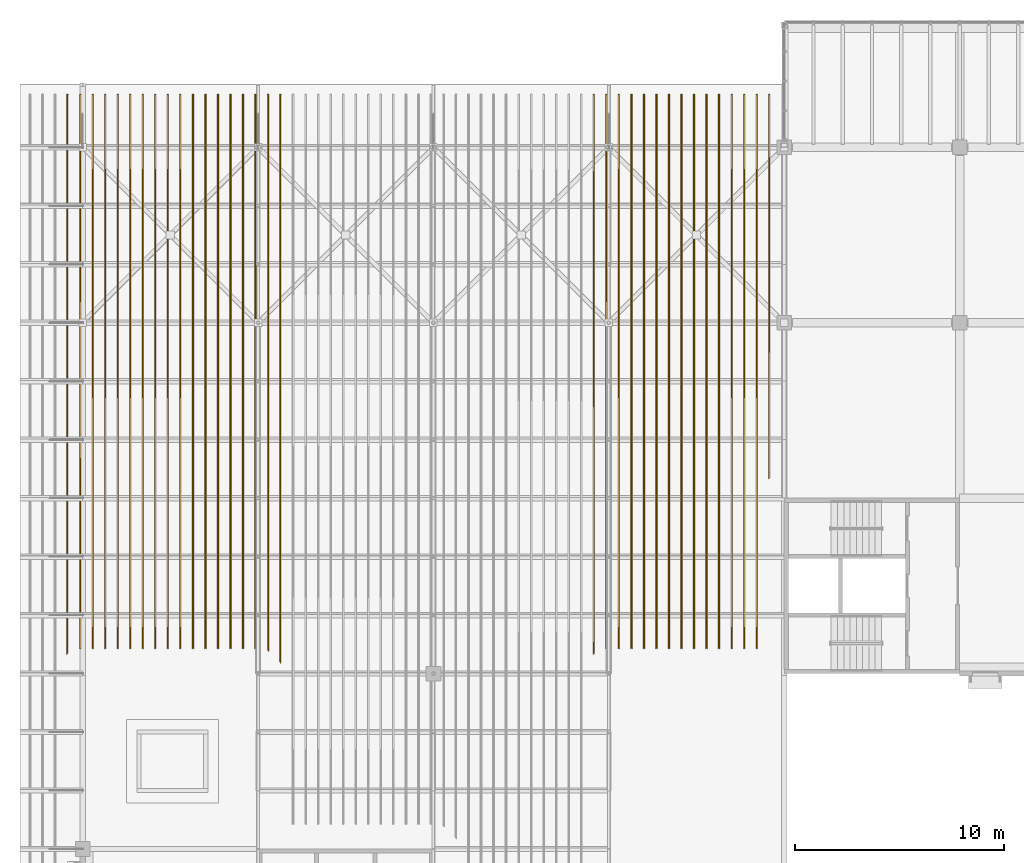
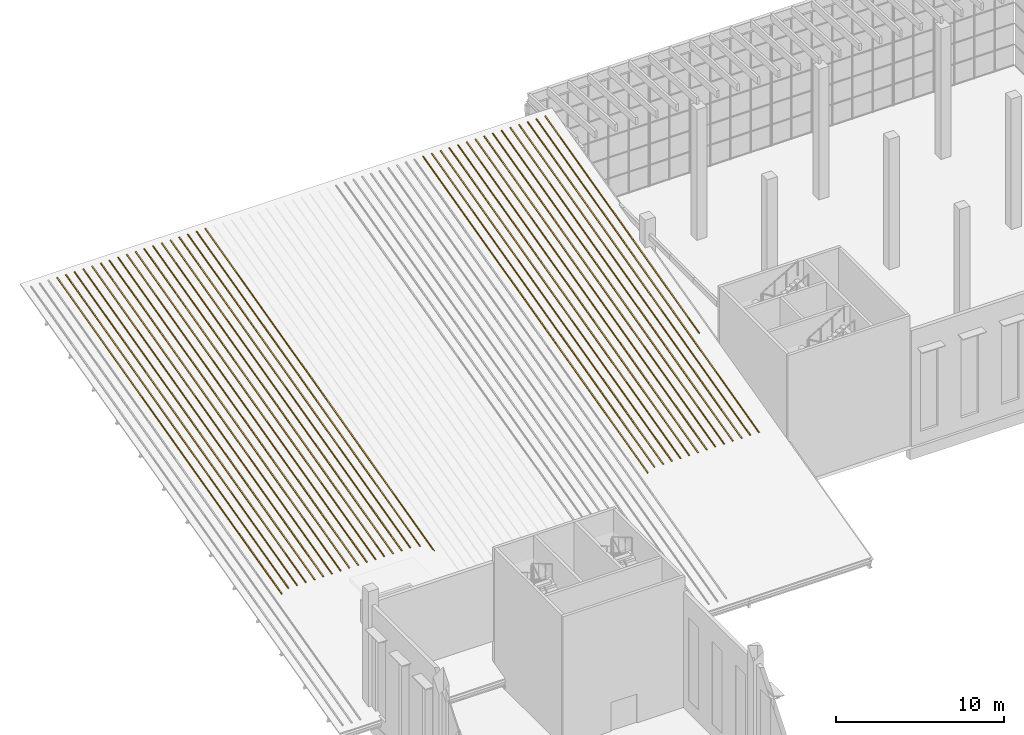
# One storey, part 98 of 114: 33 coverings.
"""IFC4 building model written with IfcOpenShell, lengths in metres."""

from ifc_helpers import new_model, si_unit, direction, frame, origin, place, context, subcontext, project, spatial, polyline, outline, extrude, material, layer, layer_set, type_object, element, save


model = new_model("IFC4")

# Units and contexts
model_context = context("Model", 3, precision=1e-05, world=origin(), true_north=direction((0.0, 1.0)))
body_context = subcontext(model_context, "Body", "Model", "MODEL_VIEW")
ifc_project = project(units=[si_unit("LENGTHUNIT", "METRE"), si_unit("AREAUNIT", "SQUARE_METRE"), si_unit("VOLUMEUNIT", "CUBIC_METRE"), si_unit("PLANEANGLEUNIT", "RADIAN"), si_unit("MASSUNIT", "GRAM", prefix="KILO")], contexts=[model_context])

# Site, building, storey
site_placement = place(None, origin())
site = spatial("IfcSite", under=ifc_project, at=site_placement, CompositionType="ELEMENT")
building_placement = place(site_placement, origin())
building = spatial("IfcBuilding", under=site, at=building_placement, Name="Almond Square Museum", CompositionType="ELEMENT")
storey_placement = place(building_placement, frame((0.0, 0.0, 10.5)))
storey = spatial("IfcBuildingStorey", under=building, at=storey_placement, Name="L02", CompositionType="ELEMENT", Elevation=10.5)

# Coverings
ifc_material = material(Name="Zinc standing seam")
ifc_layer = layer(ifc_material, 0.0400390625)
ifc_layer_set = layer_set([ifc_layer], Name="Zinc standing seam")
covering_type = type_object("IfcCoveringType", Name="Roof standing seam rib 60 x 40", PredefinedType="CLADDING", material=ifc_layer_set)
covering_1_placement = place(storey_placement, frame((5.31005859375, 111.75, 10.34521484375), z_axis=(8.421238e-05, -0.245255609951, 0.96945844609), x_axis=(-0.999999996454, -2.0653559e-05, 8.1640403e-05)))
element("IfcCovering", 1, at=covering_1_placement, inside=storey, type_object=covering_type, Name="Roof standing seam rib", PredefinedType="CLADDING", context=body_context, shape_type="SweptSolid", body=[
    extrude(outline(polyline([(0.0, 0.0), (0.06005859353704049, 0.0), (0.06005859396295951, 27.658703285717333), (-4.259190265016796e-10, 27.612872427340424), (0.0, 0.0)])), origin(), (0.0, 0.0, 1.0), 0.0400390625),
])
covering_2_placement = place(storey_placement, frame((5.909912109375, 85.195556640625, 3.62744140625), z_axis=(0.000642001912, -0.245253351518, 0.969458808513), x_axis=(-9e-10, 0.969459008302, 0.245253402061)))
element("IfcCovering", 2, at=covering_2_placement, inside=storey, type_object=covering_type, Name="Roof standing seam rib", PredefinedType="CLADDING", context=body_context, shape_type="SweptSolid", body=[
    extrude(outline(polyline([(0.0, 0.0), (27.391001115007843, -8.673617379884035e-19), (27.39100111506168, 0.05981444079824318), (-0.00627636606430578, 0.05981449011092465), (0.0, 0.0)])), origin(), (0.0, 0.0, 1.0), 0.0400390625),
])
for number, where, z_axis, x_axis, name in (
    (3, (6.510009765625, 111.75, 10.34521484375), (0.0, -0.245251021571, 0.969459610514), (-1.0, 0.0, 0.0), "Roof standing seam rib"),
    (4, (7.110107421875, 111.75, 10.34521484375), (0.0, -0.245251021571, 0.969459610514), (-1.0, 0.0, 0.0), "Roof standing seam rib"),
    (5, (7.7099609375, 111.75, 10.34521484375), (0.0, -0.245251021571, 0.969459610514), (-1.0, 0.0, 0.0), "Roof standing seam rib"),
    (6, (8.31005859375, 111.75, 10.34521484375), (0.0, -0.245251021571, 0.969459610514), (-1.0, 0.0, 0.0), "Roof standing seam rib"),
):
    element("IfcCovering", number, at=place(storey_placement, frame(where, z_axis=z_axis, x_axis=x_axis)), inside=storey, type_object=covering_type, Name=name, PredefinedType="CLADDING", context=body_context, shape_type="SweptSolid", body=[
        extrude(outline(polyline([(0.0, 0.0), (0.06005859375, 0.0), (0.06005859375, 27.386441415588518), (0.0, 27.386441415588518), (0.0, 0.0)])), origin(), (0.0, 0.0, 1.0), 0.0400390625),
    ])
covering_3_placement = place(storey_placement, frame((8.909912109375, 111.75, 10.34521484375), z_axis=(0.0, -0.245251021571, 0.969459610514), x_axis=(-1.0, 0.0, 0.0)))
element("IfcCovering", 7, at=covering_3_placement, inside=storey, type_object=covering_type, Name="Roof standing seam rib", PredefinedType="CLADDING", context=body_context, shape_type="SweptSolid", body=[
    extrude(outline(polyline([(0.0, 0.0), (0.059814453125, 0.0), (0.059814453125, 27.386441415588518), (0.0, 27.386441415588518), (0.0, 0.0)])), origin(), (0.0, 0.0, 1.0), 0.0400390625),
])
for number, where, z_axis, x_axis, name in (
    (8, (9.510009765625, 111.75, 10.34521484375), (0.0, -0.245251021571, 0.969459610514), (-1.0, 0.0, 0.0), "Roof standing seam rib"),
    (9, (10.110107421875, 111.75, 10.34521484375), (0.0, -0.245251021571, 0.969459610514), (-1.0, 0.0, 0.0), "Roof standing seam rib"),
    (10, (10.7099609375, 111.75, 10.34521484375), (0.0, -0.245251021571, 0.969459610514), (-1.0, 0.0, 0.0), "Roof standing seam rib"),
    (11, (11.31005859375, 111.75, 10.34521484375), (0.0, -0.245251021571, 0.969459610514), (-1.0, 0.0, 0.0), "Roof standing seam rib"),
):
    element("IfcCovering", number, at=place(storey_placement, frame(where, z_axis=z_axis, x_axis=x_axis)), inside=storey, type_object=covering_type, Name=name, PredefinedType="CLADDING", context=body_context, shape_type="SweptSolid", body=[
        extrude(outline(polyline([(0.0, 0.0), (0.06005859375, 0.0), (0.06005859375, 27.386441415588518), (0.0, 27.386441415588518), (0.0, 0.0)])), origin(), (0.0, 0.0, 1.0), 0.0400390625),
    ])
covering_4_placement = place(storey_placement, frame((11.909912109375, 111.75, 10.34521484375), z_axis=(0.0, -0.245251021571, 0.969459610514), x_axis=(-1.0, 0.0, 0.0)))
element("IfcCovering", 12, at=covering_4_placement, inside=storey, type_object=covering_type, Name="Roof standing seam rib", PredefinedType="CLADDING", context=body_context, shape_type="SweptSolid", body=[
    extrude(outline(polyline([(0.0, 0.0), (0.059814453125, 0.0), (0.059814453125, 27.386441415588518), (0.0, 27.386441415588518), (0.0, 0.0)])), origin(), (0.0, 0.0, 1.0), 0.0400390625),
])
for number, where, z_axis, x_axis, name in (
    (13, (12.510009765625, 111.75, 10.34521484375), (0.0, -0.245251021571, 0.969459610514), (-1.0, 0.0, 0.0), "Roof standing seam rib"),
    (14, (13.110107421875, 111.75, 10.34521484375), (0.0, -0.245251021571, 0.969459610514), (-1.0, 0.0, 0.0), "Roof standing seam rib"),
    (15, (13.7099609375, 111.75, 10.34521484375), (0.0, -0.245251021571, 0.969459610514), (-1.0, 0.0, 0.0), "Roof standing seam rib"),
    (16, (14.31005859375, 111.75, 10.34521484375), (0.0, -0.245251021571, 0.969459610514), (-1.0, 0.0, 0.0), "Roof standing seam rib"),
):
    element("IfcCovering", number, at=place(storey_placement, frame(where, z_axis=z_axis, x_axis=x_axis)), inside=storey, type_object=covering_type, Name=name, PredefinedType="CLADDING", context=body_context, shape_type="SweptSolid", body=[
        extrude(outline(polyline([(0.0, 0.0), (0.06005859375, 0.0), (0.06005859375, 27.386441415588518), (0.0, 27.386441415588518), (0.0, 0.0)])), origin(), (0.0, 0.0, 1.0), 0.0400390625),
    ])
covering_5_placement = place(storey_placement, frame((14.909912109375, 85.084716796875, 3.599365234375), z_axis=(-0.00066122894, -0.245257324251, 0.96945779056), x_axis=(-9.51e-10, 0.969458002495, 0.245257377867)))
element("IfcCovering", 17, at=covering_5_placement, inside=storey, type_object=covering_type, Name="Roof standing seam rib", PredefinedType="CLADDING", context=body_context, shape_type="SweptSolid", body=[
    extrude(outline(polyline([(0.0, 0.0), (27.50534157674834, -8.673617379884035e-19), (27.50534157680521, 0.05981444004885), (0.028185181419110354, 0.05981449232665704), (0.0, 0.0)])), origin(), (0.0, 0.0, 1.0), 0.0400390625),
])
covering_6_placement = place(storey_placement, frame((15.510009765625, 111.75, 10.34521484375), z_axis=(0.000957063549, -0.245254414976, 0.969458279641), x_axis=(-0.999999542015, -0.000234724168, 0.000927833607)))
element("IfcCovering", 18, at=covering_6_placement, inside=storey, type_object=covering_type, Name="Roof standing seam rib", PredefinedType="CLADDING", context=body_context, shape_type="SweptSolid", body=[
    extrude(outline(polyline([(0.0, 0.0), (0.060058566244039525, -1.6278914455043585e-21), (0.06005862125597307, 28.026356766439584), (-5.501193354063433e-08, 28.154316450431295), (0.0, 0.0)])), origin(), (0.0, 0.0, 1.0), 0.0400390625),
])
covering_7_placement = place(storey_placement, frame((30.510009765625, 111.75, 10.34521484375), z_axis=(8.421238e-05, -0.245255609951, 0.96945844609), x_axis=(-0.999999996454, -2.0653559e-05, 8.1640403e-05)))
element("IfcCovering", 19, at=covering_7_placement, inside=storey, type_object=covering_type, Name="Roof standing seam rib", PredefinedType="CLADDING", context=body_context, shape_type="SweptSolid", body=[
    extrude(outline(polyline([(0.0, 0.0), (0.06005859353704049, 0.0), (0.06005859396295951, 27.658703285717333), (-4.259190265016796e-10, 27.612872427340424), (0.0, 0.0)])), origin(), (0.0, 0.0, 1.0), 0.0400390625),
])
covering_8_placement = place(storey_placement, frame((31.110107421875, 85.195556640625, 3.62744140625), z_axis=(0.000639392149, -0.245253351928, 0.969458810134), x_axis=(-8.96e-10, 0.969459008302, 0.245253402061)))
element("IfcCovering", 20, at=covering_8_placement, inside=storey, type_object=covering_type, Name="Roof standing seam rib", PredefinedType="CLADDING", context=body_context, shape_type="SweptSolid", body=[
    extrude(outline(polyline([(0.0, 0.0), (27.391001115007846, 0.0), (27.391001115061684, 0.060058581473351906), (-0.006276366064305779, 0.060058630585575395), (0.0, 0.0)])), origin(), (0.0, 0.0, 1.0), 0.0400390625),
])
for number, where, z_axis, x_axis, name in (
    (21, (31.7099609375, 111.75, 10.34521484375), (0.0, -0.245251021571, 0.969459610514), (-1.0, 0.0, 0.0), "Roof standing seam rib"),
    (22, (32.31005859375, 111.75, 10.34521484375), (0.0, -0.245251021571, 0.969459610514), (-1.0, 0.0, 0.0), "Roof standing seam rib"),
):
    element("IfcCovering", number, at=place(storey_placement, frame(where, z_axis=z_axis, x_axis=x_axis)), inside=storey, type_object=covering_type, Name=name, PredefinedType="CLADDING", context=body_context, shape_type="SweptSolid", body=[
        extrude(outline(polyline([(0.0, 0.0), (0.06005859375, 0.0), (0.06005859375, 27.386441415588518), (0.0, 27.386441415588518), (0.0, 0.0)])), origin(), (0.0, 0.0, 1.0), 0.0400390625),
    ])
covering_9_placement = place(storey_placement, frame((32.909912109375, 111.75, 10.34521484375), z_axis=(0.0, -0.245251021571, 0.969459610514), x_axis=(-1.0, 0.0, 0.0)))
element("IfcCovering", 23, at=covering_9_placement, inside=storey, type_object=covering_type, Name="Roof standing seam rib", PredefinedType="CLADDING", context=body_context, shape_type="SweptSolid", body=[
    extrude(outline(polyline([(0.0, 0.0), (0.059814453125, 0.0), (0.059814453125, 27.386441415588518), (0.0, 27.386441415588518), (0.0, 0.0)])), origin(), (0.0, 0.0, 1.0), 0.0400390625),
])
for number, where, z_axis, x_axis, name in (
    (24, (33.510009765625, 111.75, 10.34521484375), (0.0, -0.245251021571, 0.969459610514), (-1.0, 0.0, 0.0), "Roof standing seam rib"),
    (25, (34.110107421875, 111.75, 10.34521484375), (0.0, -0.245251021571, 0.969459610514), (-1.0, 0.0, 0.0), "Roof standing seam rib"),
    (26, (34.7099609375, 111.75, 10.34521484375), (0.0, -0.245251021571, 0.969459610514), (-1.0, 0.0, 0.0), "Roof standing seam rib"),
    (27, (35.31005859375, 111.75, 10.34521484375), (0.0, -0.245251021571, 0.969459610514), (-1.0, 0.0, 0.0), "Roof standing seam rib"),
):
    element("IfcCovering", number, at=place(storey_placement, frame(where, z_axis=z_axis, x_axis=x_axis)), inside=storey, type_object=covering_type, Name=name, PredefinedType="CLADDING", context=body_context, shape_type="SweptSolid", body=[
        extrude(outline(polyline([(0.0, 0.0), (0.06005859375, 0.0), (0.06005859375, 27.386441415588518), (0.0, 27.386441415588518), (0.0, 0.0)])), origin(), (0.0, 0.0, 1.0), 0.0400390625),
    ])
covering_10_placement = place(storey_placement, frame((35.909912109375, 111.75, 10.34521484375), z_axis=(0.0, -0.245251021571, 0.969459610514), x_axis=(-1.0, 0.0, 0.0)))
element("IfcCovering", 28, at=covering_10_placement, inside=storey, type_object=covering_type, Name="Roof standing seam rib", PredefinedType="CLADDING", context=body_context, shape_type="SweptSolid", body=[
    extrude(outline(polyline([(0.0, 0.0), (0.059814453125, 0.0), (0.059814453125, 27.386441415588518), (0.0, 27.386441415588518), (0.0, 0.0)])), origin(), (0.0, 0.0, 1.0), 0.0400390625),
])
for number, where, z_axis, x_axis, name in (
    (29, (36.510009765625, 111.75, 10.34521484375), (0.0, -0.245251021571, 0.969459610514), (-1.0, 0.0, 0.0), "Roof standing seam rib"),
    (30, (37.110107421875, 111.75, 10.34521484375), (0.0, -0.245251021571, 0.969459610514), (-1.0, 0.0, 0.0), "Roof standing seam rib"),
    (31, (37.7099609375, 111.75, 10.34521484375), (0.0, -0.245251021571, 0.969459610514), (-1.0, 0.0, 0.0), "Roof standing seam rib"),
    (32, (38.31005859375, 111.75, 10.34521484375), (0.0, -0.245251021571, 0.969459610514), (-1.0, 0.0, 0.0), "Roof standing seam rib"),
):
    element("IfcCovering", number, at=place(storey_placement, frame(where, z_axis=z_axis, x_axis=x_axis)), inside=storey, type_object=covering_type, Name=name, PredefinedType="CLADDING", context=body_context, shape_type="SweptSolid", body=[
        extrude(outline(polyline([(0.0, 0.0), (0.06005859375, 0.0), (0.06005859375, 27.386441415588518), (0.0, 27.386441415588518), (0.0, 0.0)])), origin(), (0.0, 0.0, 1.0), 0.0400390625),
    ])
covering_11_placement = place(storey_placement, frame((38.909912109375, 93.380615234375, 5.697998046875), z_axis=(0.000586172021, -0.245258323749, 0.96945758599), x_axis=(-1.085e-09, 0.969457752542, 0.245258365884)))
element("IfcCovering", 33, at=covering_11_placement, inside=storey, type_object=covering_type, Name="Roof standing seam rib", PredefinedType="CLADDING", context=body_context, shape_type="SweptSolid", body=[
    extrude(outline(polyline([(0.0, 0.0), (18.948111267973484, 4.336808689942018e-19), (18.94811126803836, 0.059814442848946686), (-0.046067542304717254, 0.0598144840031307), (0.0, 0.0)])), origin(), (0.0, 0.0, 1.0), 0.0400390625),
])

save(model, "model.ifc")
